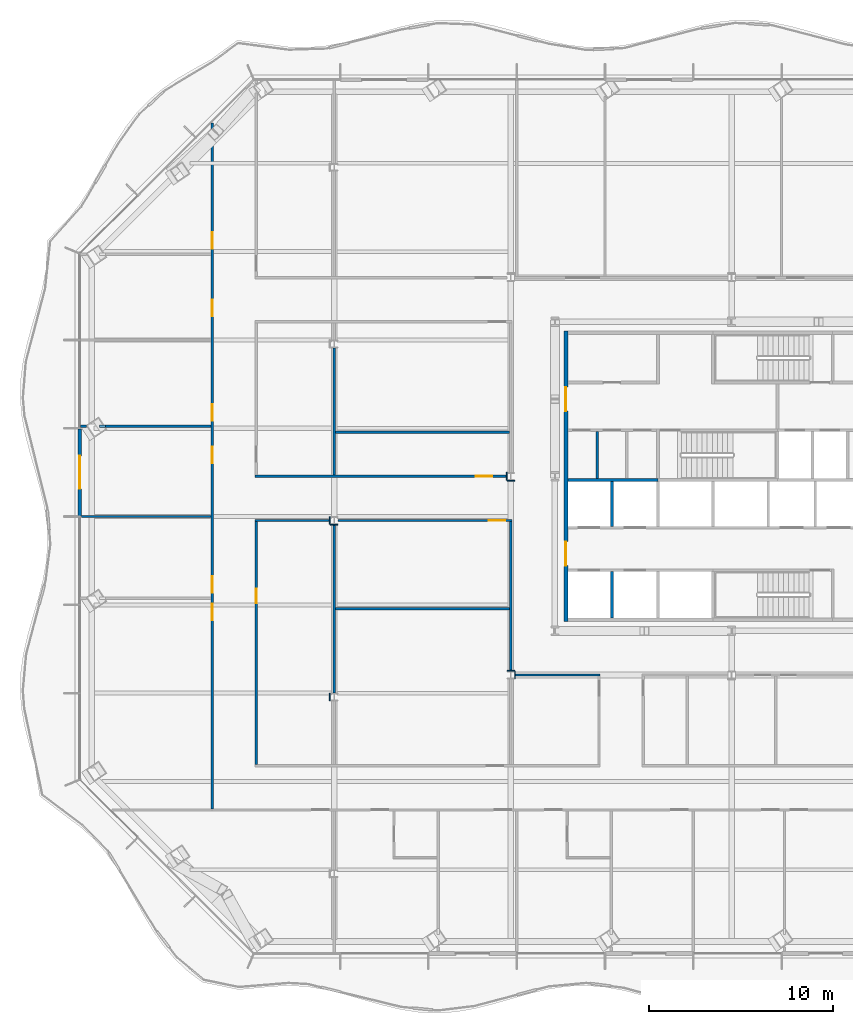
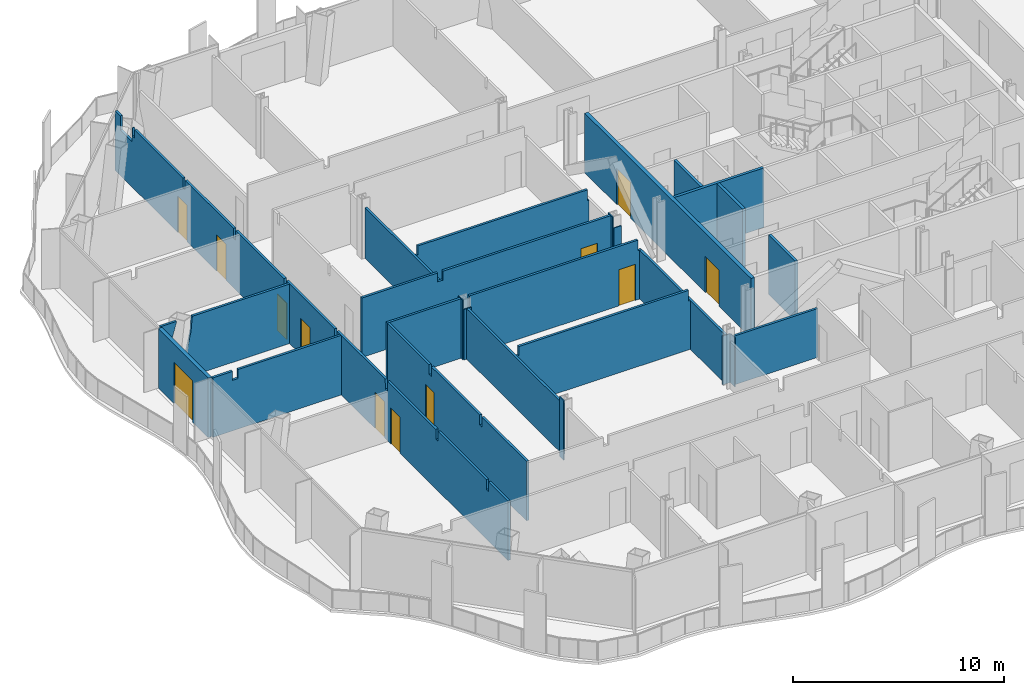
# One storey, part 7 of 19: 27 walls, 12 doors, 12 openings.
"""IFC4 building model written with IfcOpenShell, lengths in metres."""

from ifc_helpers import new_model, si_unit, direction, frame, frame_2d, origin, place, context, subcontext, project, spatial, polyline, rectangle, outline, extrude, material, layer, layer_set, type_object, element, fill, save


model = new_model("IFC4")

# Units and contexts
model_context = context("Model", 3, precision=1e-05, world=origin(), true_north=direction((0.0, 1.0)))
body_context = subcontext(model_context, "Body", "Model", "MODEL_VIEW")
ifc_project = project(units=[si_unit("LENGTHUNIT", "METRE"), si_unit("AREAUNIT", "SQUARE_METRE"), si_unit("VOLUMEUNIT", "CUBIC_METRE"), si_unit("PLANEANGLEUNIT", "RADIAN"), si_unit("MASSUNIT", "GRAM", prefix="KILO")], contexts=[model_context])

# Site, building, storey
site_placement = place(None, origin())
site = spatial("IfcSite", under=ifc_project, at=site_placement, CompositionType="ELEMENT")
building_placement = place(site_placement, origin())
building = spatial("IfcBuilding", under=site, at=building_placement, Name="Cairn Pilgrim Tower", CompositionType="ELEMENT")
storey_placement = place(building_placement, frame((0.0, 0.0, 90.60009765625)))
storey = spatial("IfcBuildingStorey", under=building, at=storey_placement, Name="L21", CompositionType="ELEMENT", Elevation=90.60009765625)

# Wall, opening, door
ifc_material_1 = material(Name="Bronze anodised aluminium insulated sandwich panel with mineral wool fill", Category="aluminium")
ifc_layer_1 = layer(ifc_material_1, 0.199951171875)
ifc_layer_set_1 = layer_set([ifc_layer_1], Name="BRONZE INFILL FRAME WALL 200")
wall_type_1 = type_object("IfcWallType", Name="BRONZE INFILL FRAME WALL 200", PredefinedType="NOTDEFINED", material=ifc_layer_set_1)
wall_1_placement = place(storey_placement, frame((-28.2294921875, 4.983642578125, 0.0), z_axis=(0.0, 0.0, 1.0), x_axis=(0.0, -1.0, 0.0)))
wall_1 = element("IfcWall", 1, at=wall_1_placement, inside=storey, type_object=wall_type_1, Name="Bronze infill frame wall IW-W3", PredefinedType="NOTDEFINED", context=body_context, shape_type="SweptSolid", body=[
    extrude(rectangle(XDim=4.739990234375, YDim=0.199951171875, at=frame_2d((2.3701171875, 0.0))), origin(), (0.0, 0.0, 1.0), 3.449951171875),
])
opening_1_placement = place(wall_1_placement, frame((1.4697265625, 0.0, 0.0)))
opening_1 = element("IfcOpeningElement", 2, at=opening_1_placement, cuts=wall_1, Name="Opening 2111B", PredefinedType="OPENING", context=body_context, shape_type="SweptSolid", body=[
    extrude(rectangle(XDim=1.800048828125, YDim=2.39990234375, at=frame_2d((0.89990234375, 1.199951171875))), frame((0.0, 0.10986328125, 0.0), z_axis=(0.0, -1.0, 0.0), x_axis=(1.0, 0.0, 0.0)), (0.0, 0.0, 1.0), 0.219970703125),
])
ifc_material_2 = material(Name="Bronze anodised aluminium frame with tinted low-E glass", Category="aluminium")
door_type_1 = type_object("IfcDoorType", Name="BALCONY SLIDING DOOR 1800x2400", OperationType="DOUBLE_DOOR_SLIDING", PredefinedType="DOOR", material=ifc_material_2)
door_1_placement = place(opening_1_placement, origin())
door_1 = element("IfcDoor", 3, at=door_1_placement, inside=storey, type_object=door_type_1, Name="Balcony sliding door 2111B", OperationType="SINGLE_SWING_LEFT", OverallHeight=2.39990234375, OverallWidth=1.800048828125, PredefinedType="DOOR", context=body_context, shape_type="SweptSolid", body=[
    extrude(rectangle(XDim=1.800048828125, YDim=2.39990234375, at=frame_2d((0.89990234375, 1.199951171875))), frame((0.0, 0.02490234375, 0.0), z_axis=(0.0, -1.0, 0.0), x_axis=(1.0, 0.0, 0.0)), (0.0, 0.0, 1.0), 0.050048828125),
])
fill(opening_1, door_1)

# Wall, openings, doors
ifc_material_3 = material(Name="Concrete C32/40", Category="concrete")
ifc_layer_2 = layer(ifc_material_3, 0.199951171875)
ifc_layer_set_2 = layer_set([ifc_layer_2], Name="CORE OUTER WALL 200 EI 120")
wall_type_2 = type_object("IfcWallType", Name="CORE OUTER WALL 200 EI 120", PredefinedType="SOLIDWALL", material=ifc_layer_set_2)
wall_2_placement = place(storey_placement, frame((-1.800048828125, -5.5, 0.0), z_axis=(0.0, 0.0, 1.0), x_axis=(0.0, 1.0, 0.0)))
wall_2 = element("IfcWall", 4, at=wall_2_placement, inside=storey, type_object=wall_type_2, Name="CW:L21:V12", PredefinedType="SOLIDWALL", context=body_context, shape_type="SweptSolid", body=[
    extrude(rectangle(XDim=15.800048828125, YDim=0.199951171875, at=frame_2d((7.89990234375, 0.0))), origin(), (0.0, 0.0, 1.0), 3.449951171875),
])
opening_2_placement = place(wall_2_placement, frame((3.050048828125, 0.0, 0.0)))
opening_2 = element("IfcOpeningElement", 5, at=opening_2_placement, cuts=wall_2, Name="Opening CD-W1", PredefinedType="OPENING", context=body_context, shape_type="SweptSolid", body=[
    extrude(rectangle(XDim=1.300048828125, YDim=2.10009765625, at=frame_2d((0.64990234375, 1.050048828125))), frame((0.0, 0.10986328125, 0.0), z_axis=(0.0, -1.0, 0.0), x_axis=(1.0, 0.0, 0.0)), (0.0, 0.0, 1.0), 0.219970703125),
])
opening_3_placement = place(wall_2_placement, frame((11.449951171875, 0.0, 0.0)))
opening_3 = element("IfcOpeningElement", 6, at=opening_3_placement, cuts=wall_2, Name="Opening CD-W2", PredefinedType="OPENING", context=body_context, shape_type="SweptSolid", body=[
    extrude(rectangle(XDim=1.300048828125, YDim=2.10009765625, at=frame_2d((0.64990234375, 1.050048828125))), frame((0.0, 0.10986328125, 0.0), z_axis=(0.0, -1.0, 0.0), x_axis=(1.0, 0.0, 0.0)), (0.0, 0.0, 1.0), 0.219970703125),
])
ifc_material_4 = material(Name="Painted steel", Category="steel")
door_type_2 = type_object("IfcDoorType", Name="CORE LOBBY DOOR 1300x2100", OperationType="DOUBLE_DOOR_SINGLE_SWING", PredefinedType="DOOR", material=ifc_material_4)
door_2_placement = place(opening_2_placement, origin())
door_2 = element("IfcDoor", 7, at=door_2_placement, inside=storey, type_object=door_type_2, Name="CD-W1", OperationType="DOUBLE_DOOR_SINGLE_SWING", OverallHeight=2.10009765625, OverallWidth=1.300048828125, PredefinedType="DOOR", context=body_context, shape_type="SweptSolid", body=[
    extrude(rectangle(XDim=1.300048828125, YDim=2.10009765625, at=frame_2d((0.64990234375, 1.050048828125))), frame((0.0, 0.02490234375, 0.0), z_axis=(0.0, -1.0, 0.0), x_axis=(1.0, 0.0, 0.0)), (0.0, 0.0, 1.0), 0.050048828125),
])
fill(opening_2, door_2)
door_3_placement = place(opening_3_placement, origin())
door_3 = element("IfcDoor", 8, at=door_3_placement, inside=storey, type_object=door_type_2, Name="CD-W2", OperationType="DOUBLE_DOOR_SINGLE_SWING", OverallHeight=2.10009765625, OverallWidth=1.300048828125, PredefinedType="DOOR", context=body_context, shape_type="SweptSolid", body=[
    extrude(rectangle(XDim=1.300048828125, YDim=2.10009765625, at=frame_2d((0.64990234375, 1.050048828125))), frame((0.0, 0.02490234375, 0.0), z_axis=(0.0, -1.0, 0.0), x_axis=(1.0, 0.0, 0.0)), (0.0, 0.0, 1.0), 0.050048828125),
])
fill(opening_3, door_3)

# Walls
ifc_layer_3 = layer(ifc_material_3, 0.14990234375)
ifc_layer_set_3 = layer_set([ifc_layer_3], Name="CORE PARTITION 150 EI 60")
wall_type_3 = type_object("IfcWallType", Name="CORE PARTITION 150 EI 60", PredefinedType="PARTITIONING", material=ifc_layer_set_3)
wall_3_placement = place(storey_placement, frame((-0.10009765625, 2.27490234375, 0.0), z_axis=(0.0, 0.0, 1.0), x_axis=(0.0, 1.0, 0.0)))
element("IfcWall", 9, at=wall_3_placement, inside=storey, type_object=wall_type_3, Name="CW:L21:V13", PredefinedType="PARTITIONING", context=body_context, shape_type="SweptSolid", body=[
    extrude(rectangle(XDim=2.550048828125, YDim=0.14990234375, at=frame_2d((1.27490234375, 0.0))), origin(), (0.0, 0.0, 1.0), 3.449951171875),
])
ifc_layer_4 = layer(ifc_material_3, 0.14990234375)
ifc_layer_set_4 = layer_set([ifc_layer_4], Name="CORE SHAFT WALL 150 EI 120")
wall_type_4 = type_object("IfcWallType", Name="CORE SHAFT WALL 150 EI 120", PredefinedType="SOLIDWALL", material=ifc_layer_set_4)
wall_4_placement = place(storey_placement, frame((-1.699951171875, 2.199951171875, 0.0), z_axis=(0.0, 0.0, 1.0), x_axis=(1.0, 0.0, 0.0)))
element("IfcWall", 10, at=wall_4_placement, inside=storey, type_object=wall_type_4, Name="CW:L21:H05-1", PredefinedType="SOLIDWALL", context=body_context, shape_type="SweptSolid", body=[
    extrude(rectangle(XDim=4.89990234375, YDim=0.14990234375, at=frame_2d((2.449951171875, 0.0))), origin(), (0.0, 0.0, 1.0), 3.449951171875),
])
wall_5_placement = place(storey_placement, frame((0.699951171875, -5.300048828125, 0.0), z_axis=(0.0, 0.0, 1.0), x_axis=(0.0, 1.0, 0.0)))
element("IfcWall", 11, at=wall_5_placement, inside=storey, type_object=wall_type_4, Name="CW:L21:V14", PredefinedType="SOLIDWALL", context=body_context, shape_type="SweptSolid", body=[
    extrude(rectangle(XDim=2.525146484375, YDim=0.14990234375, at=frame_2d((1.2626953125, 0.0))), origin(), (0.0, 0.0, 1.0), 3.449951171875),
])
wall_6_placement = place(storey_placement, frame((0.699951171875, -0.324951171875, 0.0), z_axis=(0.0, 0.0, 1.0), x_axis=(0.0, 1.0, 0.0)))
element("IfcWall", 12, at=wall_6_placement, inside=storey, type_object=wall_type_4, Name="CW:L21:V15", PredefinedType="SOLIDWALL", context=body_context, shape_type="SweptSolid", body=[
    extrude(rectangle(XDim=2.449951171875, YDim=0.14990234375, at=frame_2d((1.22509765625, 0.0))), origin(), (0.0, 0.0, 1.0), 3.449951171875),
])

# Wall, openings, doors
ifc_material_5 = material(Name="Gypsum partition")
ifc_layer_5 = layer(ifc_material_5, 0.125)
ifc_layer_set_5 = layer_set([ifc_layer_5], Name="PARTITION 125 DRYWALL EI 60")
wall_type_5 = type_object("IfcWallType", Name="PARTITION 125 DRYWALL EI 60", PredefinedType="PARTITIONING", material=ifc_layer_set_5)
wall_7_placement = place(storey_placement, frame((-21.030029296875, -15.673583984375, 0.0), z_axis=(0.0, 0.0, 1.0), x_axis=(0.0, 1.0, 0.0)))
wall_7 = element("IfcWall", 13, at=wall_7_placement, inside=storey, type_object=wall_type_5, Name="PARTITION W020", PredefinedType="PARTITIONING", context=body_context, shape_type="SweptSolid", body=[
    extrude(outline(polyline([(0.0, 0.0), (37.275390625, 0.0), (37.275390625, 3.449951171875), (36.7919921875, 3.449951171875), (36.7900390625, 2.6298828125), (35.677001953125, 2.6298828125), (35.675048828125, 3.449951171875), (35.640869140625, 3.449951171875), (35.638916015625, 2.97998046875), (35.45068359375, 2.97998046875), (35.44873046875, 3.449951171875), (30.850830078125, 3.449951171875), (30.848876953125, 2.8798828125), (30.640869140625, 2.8798828125), (30.638916015625, 3.449951171875), (26.05078125, 3.449951171875), (26.048828125, 2.8798828125), (25.8408203125, 2.8798828125), (25.8388671875, 3.449951171875), (21.250732421875, 3.449951171875), (21.248779296875, 2.8798828125), (21.040771484375, 2.8798828125), (21.038818359375, 3.449951171875), (16.45068359375, 3.449951171875), (16.44873046875, 2.8798828125), (16.24072265625, 2.8798828125), (16.23876953125, 3.449951171875), (11.65087890625, 3.449951171875), (11.648681640625, 2.8798828125), (11.44091796875, 2.8798828125), (11.438720703125, 3.449951171875), (6.850830078125, 3.449951171875), (6.848876953125, 2.8798828125), (6.640869140625, 2.8798828125), (6.638916015625, 3.449951171875), (2.05078125, 3.449951171875), (2.048828125, 2.8798828125), (1.8408203125, 2.8798828125), (1.8388671875, 3.449951171875), (0.0, 3.449951171875), (0.0, 0.0)])), frame((0.0, 0.0625, 0.0), z_axis=(0.0, -1.0, 0.0), x_axis=(1.0, 0.0, 0.0)), (0.0, 0.0, 1.0), 0.125),
])
opening_4_placement = place(wall_7_placement, frame((10.237548828125, 0.0, 0.0)))
opening_4 = element("IfcOpeningElement", 14, at=opening_4_placement, cuts=wall_7, Name="Opening 2109", PredefinedType="OPENING", context=body_context, shape_type="SweptSolid", body=[
    extrude(rectangle(XDim=0.89990234375, YDim=2.10009765625, at=frame_2d((0.449951171875, 1.050048828125))), frame((0.0, 0.072509765625, 0.0), z_axis=(0.0, -1.0, 0.0), x_axis=(1.0, 0.0, 0.0)), (0.0, 0.0, 1.0), 0.14501953125),
])
opening_5_placement = place(wall_7_placement, frame((11.740478515625, 0.0, 0.0)))
opening_5 = element("IfcOpeningElement", 15, at=opening_5_placement, cuts=wall_7, Name="Opening 2110", PredefinedType="OPENING", context=body_context, shape_type="SweptSolid", body=[
    extrude(rectangle(XDim=0.89990234375, YDim=2.10009765625, at=frame_2d((0.449951171875, 1.050048828125))), frame((0.0, 0.072509765625, 0.0), z_axis=(0.0, -1.0, 0.0), x_axis=(1.0, 0.0, 0.0)), (0.0, 0.0, 1.0), 0.14501953125),
])
opening_6_placement = place(wall_7_placement, frame((18.7734375, 0.0, 0.0)))
opening_6 = element("IfcOpeningElement", 16, at=opening_6_placement, cuts=wall_7, Name="Opening 2111", PredefinedType="OPENING", context=body_context, shape_type="SweptSolid", body=[
    extrude(rectangle(XDim=0.89990234375, YDim=2.10009765625, at=frame_2d((0.449951171875, 1.050048828125))), frame((0.0, 0.072509765625, 0.0), z_axis=(0.0, -1.0, 0.0), x_axis=(1.0, 0.0, 0.0)), (0.0, 0.0, 1.0), 0.14501953125),
])
opening_7_placement = place(wall_7_placement, frame((21.092529296875, 0.0, 0.0)))
opening_7 = element("IfcOpeningElement", 17, at=opening_7_placement, cuts=wall_7, Name="Opening 2112", PredefinedType="OPENING", context=body_context, shape_type="SweptSolid", body=[
    extrude(rectangle(XDim=0.89990234375, YDim=2.10009765625, at=frame_2d((0.449951171875, 1.050048828125))), frame((0.0, 0.072509765625, 0.0), z_axis=(0.0, -1.0, 0.0), x_axis=(1.0, 0.0, 0.0)), (0.0, 0.0, 1.0), 0.14501953125),
])
opening_8_placement = place(wall_7_placement, frame((26.7734375, 0.0, 0.0)))
opening_8 = element("IfcOpeningElement", 18, at=opening_8_placement, cuts=wall_7, Name="Opening 2113", PredefinedType="OPENING", context=body_context, shape_type="SweptSolid", body=[
    extrude(rectangle(XDim=0.89990234375, YDim=2.10009765625, at=frame_2d((0.449951171875, 1.050048828125))), frame((0.0, 0.072509765625, 0.0), z_axis=(0.0, -1.0, 0.0), x_axis=(1.0, 0.0, 0.0)), (0.0, 0.0, 1.0), 0.14501953125),
])
opening_9_placement = place(wall_7_placement, frame((30.443603515625, 0.0, 0.0)))
opening_9 = element("IfcOpeningElement", 19, at=opening_9_placement, cuts=wall_7, Name="Opening 2114", PredefinedType="OPENING", context=body_context, shape_type="SweptSolid", body=[
    extrude(rectangle(XDim=0.89990234375, YDim=2.10009765625, at=frame_2d((0.449951171875, 1.050048828125))), frame((0.0, 0.072509765625, 0.0), z_axis=(0.0, -1.0, 0.0), x_axis=(1.0, 0.0, 0.0)), (0.0, 0.0, 1.0), 0.14501953125),
])
ifc_material_6 = material(Name="Steel-faced fire door leaf", Category="steel")
door_type_3 = type_object("IfcDoorType", Name="FIRE DOOR 900x2100 FD30S", OperationType="NOTDEFINED", PredefinedType="DOOR", material=ifc_material_6)
door_4_placement = place(opening_4_placement, origin())
door_4 = element("IfcDoor", 20, at=door_4_placement, inside=storey, type_object=door_type_3, Name="DOOR 2109", OperationType="SINGLE_SWING_RIGHT", OverallHeight=2.10009765625, OverallWidth=0.89990234375, PredefinedType="DOOR", context=body_context, shape_type="SweptSolid", body=[
    extrude(rectangle(XDim=0.89990234375, YDim=2.10009765625, at=frame_2d((0.449951171875, 1.050048828125))), frame((0.0, 0.02490234375, 0.0), z_axis=(0.0, -1.0, 0.0), x_axis=(1.0, 0.0, 0.0)), (0.0, 0.0, 1.0), 0.050048828125),
])
fill(opening_4, door_4)
door_5_placement = place(opening_5_placement, origin())
door_5 = element("IfcDoor", 21, at=door_5_placement, inside=storey, type_object=door_type_3, Name="DOOR 2110", OperationType="SINGLE_SWING_LEFT", OverallHeight=2.10009765625, OverallWidth=0.89990234375, PredefinedType="DOOR", context=body_context, shape_type="SweptSolid", body=[
    extrude(rectangle(XDim=0.89990234375, YDim=2.10009765625, at=frame_2d((0.449951171875, 1.050048828125))), frame((0.0, 0.02490234375, 0.0), z_axis=(0.0, -1.0, 0.0), x_axis=(1.0, 0.0, 0.0)), (0.0, 0.0, 1.0), 0.050048828125),
])
fill(opening_5, door_5)
door_6_placement = place(opening_6_placement, origin())
door_6 = element("IfcDoor", 22, at=door_6_placement, inside=storey, type_object=door_type_3, Name="DOOR 2111", OperationType="SINGLE_SWING_RIGHT", OverallHeight=2.10009765625, OverallWidth=0.89990234375, PredefinedType="DOOR", context=body_context, shape_type="SweptSolid", body=[
    extrude(rectangle(XDim=0.89990234375, YDim=2.10009765625, at=frame_2d((0.449951171875, 1.050048828125))), frame((0.0, 0.02490234375, 0.0), z_axis=(0.0, -1.0, 0.0), x_axis=(1.0, 0.0, 0.0)), (0.0, 0.0, 1.0), 0.050048828125),
])
fill(opening_6, door_6)
door_7_placement = place(opening_7_placement, origin())
door_7 = element("IfcDoor", 23, at=door_7_placement, inside=storey, type_object=door_type_3, Name="DOOR 2112", OperationType="SINGLE_SWING_LEFT", OverallHeight=2.10009765625, OverallWidth=0.89990234375, PredefinedType="DOOR", context=body_context, shape_type="SweptSolid", body=[
    extrude(rectangle(XDim=0.89990234375, YDim=2.10009765625, at=frame_2d((0.449951171875, 1.050048828125))), frame((0.0, 0.02490234375, 0.0), z_axis=(0.0, -1.0, 0.0), x_axis=(1.0, 0.0, 0.0)), (0.0, 0.0, 1.0), 0.050048828125),
])
fill(opening_7, door_7)
door_8_placement = place(opening_8_placement, origin())
door_8 = element("IfcDoor", 24, at=door_8_placement, inside=storey, type_object=door_type_3, Name="DOOR 2113", OperationType="SINGLE_SWING_RIGHT", OverallHeight=2.10009765625, OverallWidth=0.89990234375, PredefinedType="DOOR", context=body_context, shape_type="SweptSolid", body=[
    extrude(rectangle(XDim=0.89990234375, YDim=2.10009765625, at=frame_2d((0.449951171875, 1.050048828125))), frame((0.0, 0.02490234375, 0.0), z_axis=(0.0, -1.0, 0.0), x_axis=(1.0, 0.0, 0.0)), (0.0, 0.0, 1.0), 0.050048828125),
])
fill(opening_8, door_8)
door_9_placement = place(opening_9_placement, origin())
door_9 = element("IfcDoor", 25, at=door_9_placement, inside=storey, type_object=door_type_3, Name="DOOR 2114", OperationType="SINGLE_SWING_LEFT", OverallHeight=2.10009765625, OverallWidth=0.89990234375, PredefinedType="DOOR", context=body_context, shape_type="SweptSolid", body=[
    extrude(rectangle(XDim=0.89990234375, YDim=2.10009765625, at=frame_2d((0.449951171875, 1.050048828125))), frame((0.0, 0.02490234375, 0.0), z_axis=(0.0, -1.0, 0.0), x_axis=(1.0, 0.0, 0.0)), (0.0, 0.0, 1.0), 0.050048828125),
])
fill(opening_9, door_9)

# Wall, opening, door
wall_8_placement = place(storey_placement, frame((-18.6298828125, -13.2734375, 0.0), z_axis=(0.0, 0.0, 1.0), x_axis=(0.0, 1.0, 0.0)))
wall_8 = element("IfcWall", 26, at=wall_8_placement, inside=storey, type_object=wall_type_5, Name="PARTITION W023", PredefinedType="PARTITIONING", context=body_context, shape_type="SweptSolid", body=[
    extrude(outline(polyline([(0.0, 0.0), (13.2109375, 0.0), (13.2109375, 3.449951171875), (9.250732421875, 3.449951171875), (9.248779296875, 2.8798828125), (9.040771484375, 2.8798828125), (9.038818359375, 3.449951171875), (4.45068359375, 3.449951171875), (4.44873046875, 2.8798828125), (4.24072265625, 2.8798828125), (4.23876953125, 3.449951171875), (0.0, 3.449951171875), (0.0, 0.0)])), frame((0.0, 0.0625, 0.0), z_axis=(0.0, -1.0, 0.0), x_axis=(1.0, 0.0, 0.0)), (0.0, 0.0, 1.0), 0.125),
])
opening_10_placement = place(wall_8_placement, frame((8.7734375, 0.0, 0.0)))
opening_10 = element("IfcOpeningElement", 27, at=opening_10_placement, cuts=wall_8, Name="Opening 2129", PredefinedType="OPENING", context=body_context, shape_type="SweptSolid", body=[
    extrude(rectangle(XDim=0.800048828125, YDim=2.10009765625, at=frame_2d((0.39990234375, 1.050048828125))), frame((0.0, 0.072509765625, 0.0), z_axis=(0.0, -1.0, 0.0), x_axis=(1.0, 0.0, 0.0)), (0.0, 0.0, 1.0), 0.14501953125),
])
door_type_4 = type_object("IfcDoorType", Name="FIRE DOOR 800x2100 FD30S", OperationType="NOTDEFINED", PredefinedType="DOOR", material=ifc_material_6)
door_10_placement = place(opening_10_placement, frame((0.800048828125, 0.0, 0.0), z_axis=(0.0, 0.0, 1.0), x_axis=(-1.0, 0.0, 0.0)))
door_10 = element("IfcDoor", 28, at=door_10_placement, inside=storey, type_object=door_type_4, Name="DOOR 2129", OperationType="SINGLE_SWING_RIGHT", OverallHeight=2.10009765625, OverallWidth=0.800048828125, PredefinedType="DOOR", context=body_context, shape_type="SweptSolid", body=[
    extrude(rectangle(XDim=0.800048828125, YDim=2.10009765625, at=frame_2d((0.39990234375, 1.050048828125))), frame((0.0, 0.02490234375, 0.0), z_axis=(0.0, -1.0, 0.0), x_axis=(1.0, 0.0, 0.0)), (0.0, 0.0, 1.0), 0.050048828125),
])
fill(opening_10, door_10)

# Walls
wall_9_placement = place(storey_placement, frame((-14.39990234375, -9.387451171875, 0.0), z_axis=(0.0, 0.0, 1.0), x_axis=(0.0, 1.0, 0.0)))
element("IfcWall", 29, at=wall_9_placement, inside=storey, type_object=wall_type_5, Name="PARTITION W033", PredefinedType="PARTITIONING", context=body_context, shape_type="SweptSolid", body=[
    extrude(rectangle(XDim=9.175048828125, YDim=0.125, at=frame_2d((4.58740234375, 0.0))), origin(), (0.0, 0.0, 1.0), 2.929931640625),
])
wall_10_placement = place(storey_placement, frame((-4.595458984375, -8.39990234375, 0.0), z_axis=(0.0, 0.0, 1.0), x_axis=(1.0, 0.0, 0.0)))
element("IfcWall", 30, at=wall_10_placement, inside=storey, type_object=wall_type_5, Name="PARTITION W034", PredefinedType="PARTITIONING", context=body_context, shape_type="SweptSolid", body=[
    extrude(rectangle(XDim=4.657958984375, YDim=0.125, at=frame_2d((2.3291015625, 0.0))), origin(), (0.0, 0.0, 1.0), 2.829833984375),
])
wall_11_placement = place(storey_placement, frame((-4.800048828125, -8.1875, 0.0), z_axis=(0.0, 0.0, 1.0), x_axis=(0.0, 1.0, 0.0)))
element("IfcWall", 31, at=wall_11_placement, inside=storey, type_object=wall_type_5, Name="PARTITION W037", PredefinedType="PARTITIONING", context=body_context, shape_type="SweptSolid", body=[
    extrude(rectangle(XDim=8.125, YDim=0.125, at=frame_2d((4.0625, 0.0))), origin(), (0.0, 0.0, 1.0), 2.829833984375),
])
wall_12_placement = place(storey_placement, frame((-14.33740234375, -4.800048828125, 0.0), z_axis=(0.0, 0.0, 1.0), x_axis=(1.0, 0.0, 0.0)))
element("IfcWall", 32, at=wall_12_placement, inside=storey, type_object=wall_type_5, Name="PARTITION W039", PredefinedType="PARTITIONING", context=body_context, shape_type="SweptSolid", body=[
    extrude(outline(polyline([(0.0, 0.0), (9.474853515625, 0.0), (9.47509765625, 2.829833984375), (9.387451171875, 2.829833984375), (9.385498046875, 3.449951171875), (0.08740234375, 3.449951171875), (0.08544921875, 2.929931640625), (0.0, 2.929931640625), (0.0, 0.0)])), frame((0.0, 0.0625, 0.0), z_axis=(0.0, -1.0, 0.0), x_axis=(1.0, 0.0, 0.0)), (0.0, 0.0, 1.0), 0.125),
])
wall_13_placement = place(storey_placement, frame((-18.6923828125, 0.0, 0.0), z_axis=(0.0, 0.0, 1.0), x_axis=(1.0, 0.0, 0.0)))
element("IfcWall", 33, at=wall_13_placement, inside=storey, type_object=wall_type_5, Name="PARTITION W045", PredefinedType="PARTITIONING", context=body_context, shape_type="SweptSolid", body=[
    extrude(rectangle(XDim=4.087890625, YDim=0.125, at=frame_2d((2.0439453125, 0.0))), origin(), (0.0, 0.0, 1.0), 3.449951171875),
])

# Wall, opening, door
wall_14_placement = place(storey_placement, frame((-14.195556640625, 0.0, 0.0), z_axis=(0.0, 0.0, 1.0), x_axis=(1.0, 0.0, 0.0)))
wall_14 = element("IfcWall", 34, at=wall_14_placement, inside=storey, type_object=wall_type_5, Name="PARTITION W046", PredefinedType="PARTITIONING", context=body_context, shape_type="SweptSolid", body=[
    extrude(outline(polyline([(0.0, 0.0), (9.4580078125, 0.0), (9.4580078125, 2.829833984375), (9.24560546875, 2.829833984375), (9.243408203125, 3.449951171875), (0.0, 3.449951171875), (0.0, 0.0)])), frame((0.0, 0.0625, 0.0), z_axis=(0.0, -1.0, 0.0), x_axis=(1.0, 0.0, 0.0)), (0.0, 0.0, 1.0), 0.125),
])
opening_11_placement = place(wall_14_placement, frame((8.195556640625, 0.0, 0.0)))
opening_11 = element("IfcOpeningElement", 35, at=opening_11_placement, cuts=wall_14, Name="Opening 2126", PredefinedType="OPENING", context=body_context, shape_type="SweptSolid", body=[
    extrude(rectangle(XDim=0.89990234375, YDim=2.10009765625, at=frame_2d((0.449951171875, 1.050048828125))), frame((0.0, 0.072509765625, 0.0), z_axis=(0.0, -1.0, 0.0), x_axis=(1.0, 0.0, 0.0)), (0.0, 0.0, 1.0), 0.14501953125),
])
door_11_placement = place(opening_11_placement, frame((0.89990234375, 0.0, 0.0), z_axis=(0.0, 0.0, 1.0), x_axis=(-1.0, 0.0, 0.0)))
door_11 = element("IfcDoor", 36, at=door_11_placement, inside=storey, type_object=door_type_3, Name="DOOR 2126", OperationType="SINGLE_SWING_LEFT", OverallHeight=2.10009765625, OverallWidth=0.89990234375, PredefinedType="DOOR", context=body_context, shape_type="SweptSolid", body=[
    extrude(rectangle(XDim=0.89990234375, YDim=2.10009765625, at=frame_2d((0.449951171875, 1.050048828125))), frame((0.0, 0.02490234375, 0.0), z_axis=(0.0, -1.0, 0.0), x_axis=(1.0, 0.0, 0.0)), (0.0, 0.0, 1.0), 0.050048828125),
])
fill(opening_11, door_11)

# Wall
wall_15_placement = place(storey_placement, frame((-28.12939453125, 0.214111328125, 0.0), z_axis=(0.0, 0.0, 1.0), x_axis=(1.0, 0.0, 0.0)))
element("IfcWall", 37, at=wall_15_placement, inside=storey, type_object=wall_type_5, Name="PARTITION W047", PredefinedType="PARTITIONING", context=body_context, shape_type="SweptSolid", body=[
    extrude(outline(polyline([(0.0, 0.0), (7.036865234375, 0.0), (7.037109375, 3.449951171875), (1.387939453125, 3.449951171875), (1.385986328125, 2.929931640625), (1.087890625, 2.929931640625), (1.0859375, 3.449951171875), (0.0, 3.449951171875), (0.0, 0.0)])), frame((0.0, 0.0625, 0.0), z_axis=(0.0, -1.0, 0.0), x_axis=(1.0, 0.0, 0.0)), (0.0, 0.0, 1.0), 0.125),
])

# Wall, opening, door
wall_16_placement = place(storey_placement, frame((-18.6923828125, 2.39990234375, 0.0), z_axis=(0.0, 0.0, 1.0), x_axis=(1.0, 0.0, 0.0)))
wall_16 = element("IfcWall", 38, at=wall_16_placement, inside=storey, type_object=wall_type_5, Name="PARTITION W049", PredefinedType="PARTITIONING", context=body_context, shape_type="SweptSolid", body=[
    extrude(outline(polyline([(0.0, 0.0), (13.68798828125, 0.0), (13.68798828125, 3.449951171875), (4.4423828125, 3.449951171875), (4.4404296875, 2.929931640625), (4.142578125, 2.929931640625), (4.140380859375, 3.449951171875), (0.0, 3.449951171875), (0.0, 0.0)])), frame((0.0, 0.0625, 0.0), z_axis=(0.0, -1.0, 0.0), x_axis=(1.0, 0.0, 0.0)), (0.0, 0.0, 1.0), 0.125),
])
opening_12_placement = place(wall_16_placement, frame((11.992431640625, 0.0, 0.0)))
opening_12 = element("IfcOpeningElement", 39, at=opening_12_placement, cuts=wall_16, Name="Opening 2127", PredefinedType="OPENING", context=body_context, shape_type="SweptSolid", body=[
    extrude(rectangle(XDim=0.89990234375, YDim=2.10009765625, at=frame_2d((0.449951171875, 1.050048828125))), frame((0.0, 0.072509765625, 0.0), z_axis=(0.0, -1.0, 0.0), x_axis=(1.0, 0.0, 0.0)), (0.0, 0.0, 1.0), 0.14501953125),
])
door_12_placement = place(opening_12_placement, origin())
door_12 = element("IfcDoor", 40, at=door_12_placement, inside=storey, type_object=door_type_3, Name="DOOR 2127", OperationType="SINGLE_SWING_RIGHT", OverallHeight=2.10009765625, OverallWidth=0.89990234375, PredefinedType="DOOR", context=body_context, shape_type="SweptSolid", body=[
    extrude(rectangle(XDim=0.89990234375, YDim=2.10009765625, at=frame_2d((0.449951171875, 1.050048828125))), frame((0.0, 0.02490234375, 0.0), z_axis=(0.0, -1.0, 0.0), x_axis=(1.0, 0.0, 0.0)), (0.0, 0.0, 1.0), 0.050048828125),
])
fill(opening_12, door_12)

# Walls
wall_17_placement = place(storey_placement, frame((-14.39990234375, 2.46240234375, 0.0), z_axis=(0.0, 0.0, 1.0), x_axis=(0.0, 1.0, 0.0)))
element("IfcWall", 41, at=wall_17_placement, inside=storey, type_object=wall_type_5, Name="PARTITION W051", PredefinedType="PARTITIONING", context=body_context, shape_type="SweptSolid", body=[
    extrude(rectangle(XDim=6.925048828125, YDim=0.125, at=frame_2d((3.46240234375, 0.0))), origin(), (0.0, 0.0, 1.0), 2.929931640625),
])
wall_18_placement = place(storey_placement, frame((-14.33740234375, 4.800048828125, 0.0), z_axis=(0.0, 0.0, 1.0), x_axis=(1.0, 0.0, 0.0)))
element("IfcWall", 42, at=wall_18_placement, inside=storey, type_object=wall_type_5, Name="PARTITION W056", PredefinedType="PARTITIONING", context=body_context, shape_type="SweptSolid", body=[
    extrude(outline(polyline([(0.0, 0.0), (9.474853515625, 0.0), (9.47509765625, 2.829833984375), (9.387451171875, 2.829833984375), (9.385498046875, 3.449951171875), (0.08740234375, 3.449951171875), (0.08544921875, 2.929931640625), (0.0, 2.929931640625), (0.0, 0.0)])), frame((0.0, 0.0625, 0.0), z_axis=(0.0, -1.0, 0.0), x_axis=(1.0, 0.0, 0.0)), (0.0, 0.0, 1.0), 0.125),
])
wall_19_placement = place(storey_placement, frame((-28.1826171875, 5.118896484375, 0.0), z_axis=(0.0, 0.0, 1.0), x_axis=(1.0, 0.0, 0.0)))
element("IfcWall", 43, at=wall_19_placement, inside=storey, type_object=wall_type_5, Name="PARTITION W058", PredefinedType="PARTITIONING", context=body_context, shape_type="SweptSolid", body=[
    extrude(outline(polyline([(0.0, 0.0), (0.132568359375, 0.0), (0.233154296875, 0.8623046875), (0.4326171875, 1.724853515625), (0.670654296875, 2.58740234375), (0.90869140625, 3.449951171875), (0.0, 3.449951171875), (0.0, 2.58740234375), (0.0, 1.724853515625), (0.0, 0.8623046875), (0.0, 0.0)])), frame((0.0, 0.0625, 0.0), z_axis=(0.0, -1.0, 0.0), x_axis=(1.0, 0.0, 0.0)), (0.0, 0.0, 1.0), 0.125),
])
wall_20_placement = place(storey_placement, frame((-27.15625, 5.118896484375, 0.0), z_axis=(0.0, 0.0, 1.0), x_axis=(1.0, 0.0, 0.0)))
element("IfcWall", 44, at=wall_20_placement, inside=storey, type_object=wall_type_5, Name="PARTITION W059", PredefinedType="PARTITIONING", context=body_context, shape_type="SweptSolid", body=[
    extrude(outline(polyline([(0.0, 0.0), (6.063720703125, 0.0), (6.063720703125, 0.8623046875), (6.063720703125, 1.724853515625), (6.063720703125, 2.58740234375), (6.063720703125, 3.449951171875), (0.736083984375, 3.449951171875), (0.6630859375, 2.58740234375), (0.47607421875, 1.724853515625), (0.238037109375, 0.8623046875), (0.0, 0.0)])), frame((0.0, 0.0625, 0.0), z_axis=(0.0, -1.0, 0.0), x_axis=(1.0, 0.0, 0.0)), (0.0, 0.0, 1.0), 0.125),
])
ifc_layer_6 = layer(ifc_material_5, 0.050048828125)
ifc_layer_set_6 = layer_set([ifc_layer_6], Name="PARTITION 50 DRYWALL EI 60")
wall_type_6 = type_object("IfcWallType", Name="PARTITION 50 DRYWALL EI 60", PredefinedType="PARTITIONING", material=ifc_layer_set_6)
wall_21_placement = place(storey_placement, frame((-14.62939453125, -9.8125, 0.0), z_axis=(0.0, 0.0, 1.0), x_axis=(0.0, 1.0, 0.0)))
element("IfcWall", 45, at=wall_21_placement, inside=storey, type_object=wall_type_6, Name="COLUMN CASING WC05", PredefinedType="PARTITIONING", context=body_context, shape_type="SweptSolid", body=[
    extrude(rectangle(XDim=0.425048828125, YDim=0.050048828125, at=frame_2d((0.21240234375, 0.0))), origin(), (0.0, 0.0, 1.0), 3.449951171875),
])
wall_22_placement = place(storey_placement, frame((-14.62939453125, -0.21240234375, 0.0), z_axis=(0.0, 0.0, 1.0), x_axis=(0.0, 1.0, 0.0)))
element("IfcWall", 46, at=wall_22_placement, inside=storey, type_object=wall_type_6, Name="COLUMN CASING WC06", PredefinedType="PARTITIONING", context=body_context, shape_type="SweptSolid", body=[
    extrude(rectangle(XDim=0.4248046875, YDim=0.050048828125, at=frame_2d((0.21240234375, 0.0))), origin(), (0.0, 0.0, 1.0), 3.449951171875),
])
wall_23_placement = place(storey_placement, frame((-4.570556640625, -8.612548828125, 0.0), z_axis=(0.0, 0.0, 1.0), x_axis=(0.0, 1.0, 0.0)))
element("IfcWall", 47, at=wall_23_placement, inside=storey, type_object=wall_type_6, Name="COLUMN CASING WC07", PredefinedType="PARTITIONING", context=body_context, shape_type="SweptSolid", body=[
    extrude(rectangle(XDim=0.425048828125, YDim=0.050048828125, at=frame_2d((0.21240234375, 0.0))), origin(), (0.0, 0.0, 1.0), 2.829833984375),
])
wall_24_placement = place(storey_placement, frame((-5.00439453125, -8.16259765625, 0.0), z_axis=(0.0, 0.0, 1.0), x_axis=(1.0, 0.0, 0.0)))
element("IfcWall", 48, at=wall_24_placement, inside=storey, type_object=wall_type_6, Name="COLUMN CASING WC08", PredefinedType="PARTITIONING", context=body_context, shape_type="SweptSolid", body=[
    extrude(rectangle(XDim=0.408935546875, YDim=0.050048828125, at=frame_2d((0.20458984375, 0.0))), origin(), (0.0, 0.0, 1.0), 2.829833984375),
])
wall_25_placement = place(storey_placement, frame((-14.6044921875, -0.237548828125, 0.0), z_axis=(0.0, 0.0, 1.0), x_axis=(1.0, 0.0, 0.0)))
element("IfcWall", 49, at=wall_25_placement, inside=storey, type_object=wall_type_6, Name="COLUMN CASING WC10", PredefinedType="PARTITIONING", context=body_context, shape_type="SweptSolid", body=[
    extrude(rectangle(XDim=0.408935546875, YDim=0.050048828125, at=frame_2d((0.20458984375, 0.0))), origin(), (0.0, 0.0, 1.0), 2.929931640625),
])
wall_26_placement = place(storey_placement, frame((-5.00439453125, 2.16259765625, 0.0), z_axis=(0.0, 0.0, 1.0), x_axis=(1.0, 0.0, 0.0)))
element("IfcWall", 50, at=wall_26_placement, inside=storey, type_object=wall_type_6, Name="COLUMN CASING WC11", PredefinedType="PARTITIONING", context=body_context, shape_type="SweptSolid", body=[
    extrude(rectangle(XDim=0.408935546875, YDim=0.050048828125, at=frame_2d((0.20458984375, 0.0))), origin(), (0.0, 0.0, 1.0), 2.829833984375),
])
wall_27_placement = place(storey_placement, frame((-5.029541015625, 2.1875, 0.0), z_axis=(0.0, 0.0, 1.0), x_axis=(0.0, 1.0, 0.0)))
element("IfcWall", 51, at=wall_27_placement, inside=storey, type_object=wall_type_6, Name="COLUMN CASING WC13", PredefinedType="PARTITIONING", context=body_context, shape_type="SweptSolid", body=[
    extrude(rectangle(XDim=0.425048828125, YDim=0.050048828125, at=frame_2d((0.21240234375, 0.0))), origin(), (0.0, 0.0, 1.0), 3.449951171875),
])

save(model, "model.ifc")
